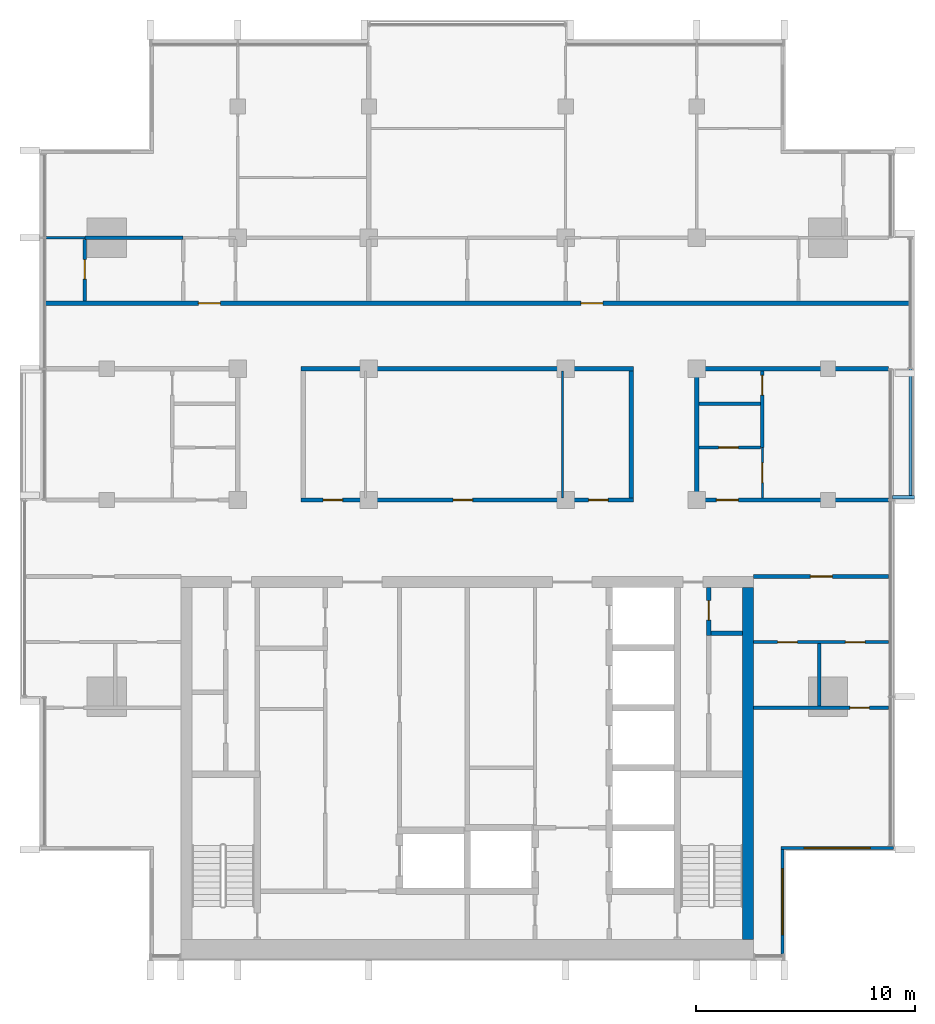
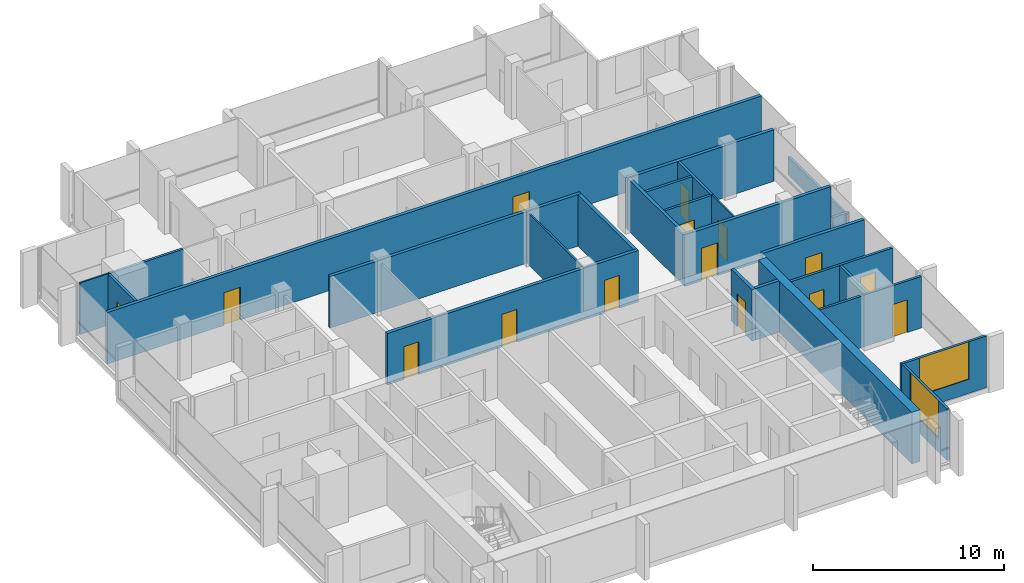
# One storey, part 9 of 16: 26 walls, 15 doors, 2 windows, 17 openings.
"""IFC4 building model written with IfcOpenShell, lengths in metres."""

from ifc_helpers import new_model, si_unit, direction, frame, frame_2d, origin, place, context, subcontext, project, spatial, rectangle, extrude, material, layer, layer_set, type_object, element, fill, save


model = new_model("IFC4")

# Units and contexts
model_context = context("Model", 3, precision=1e-05, world=origin(), true_north=direction((0.0, 1.0)))
body_context = subcontext(model_context, "Body", "Model", "MODEL_VIEW")
ifc_project = project(units=[si_unit("LENGTHUNIT", "METRE"), si_unit("AREAUNIT", "SQUARE_METRE"), si_unit("VOLUMEUNIT", "CUBIC_METRE"), si_unit("PLANEANGLEUNIT", "RADIAN"), si_unit("MASSUNIT", "GRAM", prefix="KILO")], contexts=[model_context])

# Site, building, storey
site_placement = place(None, origin())
site = spatial("IfcSite", under=ifc_project, at=site_placement, CompositionType="ELEMENT")
building_placement = place(site_placement, origin())
building = spatial("IfcBuilding", under=site, at=building_placement, Name="Finial Court Residences", CompositionType="ELEMENT")
storey_placement = place(building_placement, frame((0.0, 0.0, 287.89990234375)))
storey = spatial("IfcBuildingStorey", under=building, at=storey_placement, Name="L73", CompositionType="ELEMENT", Elevation=287.89990234375)

# Wall
ifc_material_1 = material(Name="Concrete C50/60", Category="concrete")
ifc_layer_1 = layer(ifc_material_1, 0.5)
ifc_layer_set_1 = layer_set([ifc_layer_1], Name="Core outer wall 500 Concrete C50/60")
wall_type_1 = type_object("IfcWallType", Name="Core outer wall 500 Concrete C50/60", PredefinedType="SHEAR", material=ifc_layer_set_1)
wall_1_placement = place(storey_placement, frame((12.85009765625, -24.60009765625, 0.0), z_axis=(0.0, 0.0, 1.0), x_axis=(0.0, 1.0, 0.0)))
element("IfcWall", 1, at=wall_1_placement, inside=storey, type_object=wall_type_1, Name="Core outer wall L73-04", PredefinedType="SHEAR", context=body_context, shape_type="SweptSolid", body=[
    extrude(rectangle(XDim=16.10009765625, YDim=0.5, at=frame_2d((8.050048828125, 0.0))), origin(), (0.0, 0.0, 1.0), 3.300048828125),
])

# Wall, opening, door
ifc_material_2 = material(Name="Gypsum board")
ifc_layer_2 = layer(ifc_material_2, 0.02490234375)
ifc_material_3 = material(Name="Acoustic mineral wool in double frame")
ifc_layer_3 = layer(ifc_material_3, 0.14990234375)
ifc_layer_4 = layer(ifc_material_2, 0.02490234375)
ifc_layer_set_2 = layer_set([ifc_layer_2, ifc_layer_3, ifc_layer_4], Name="Corridor wall 200, 1 hour")
wall_type_2 = type_object("IfcWallType", Name="Corridor wall 200, 1 hour", PredefinedType="PARTITIONING", material=ifc_layer_set_2)
wall_2_placement = place(storey_placement, frame((13.10009765625, -8.0, 0.0), z_axis=(0.0, 0.0, 1.0), x_axis=(1.0, 0.0, 0.0)))
wall_2 = element("IfcWall", 2, at=wall_2_placement, inside=storey, type_object=wall_type_2, Name="Partition L73-005", PredefinedType="PARTITIONING", context=body_context, shape_type="SweptSolid", body=[
    extrude(rectangle(XDim=6.162353515625, YDim=0.199951171875, at=frame_2d((3.0810546875, 0.0))), origin(), (0.0, 0.0, 1.0), 3.300048828125),
])
opening_1_placement = place(wall_2_placement, frame((2.60009765625, 0.0, 0.0)))
opening_1 = element("IfcOpeningElement", 3, at=opening_1_placement, cuts=wall_2, Name="Opening L73-D008", PredefinedType="OPENING", context=body_context, shape_type="SweptSolid", body=[
    extrude(rectangle(XDim=1.0, YDim=2.10009765625, at=frame_2d((0.5, 1.050048828125))), frame((0.0, 0.10986328125, 0.0), z_axis=(0.0, -1.0, 0.0), x_axis=(1.0, 0.0, 0.0)), (0.0, 0.0, 1.0), 0.219970703125),
])
ifc_material_4 = material(Name="Timber door leaf in hollow metal frame", Category="wood")
door_type_1 = type_object("IfcDoorType", Name="Fire door set 1000 x 2100, 30 minutes", OperationType="SINGLE_SWING_LEFT", PredefinedType="DOOR", material=ifc_material_4)
door_1_placement = place(opening_1_placement, origin())
door_1 = element("IfcDoor", 4, at=door_1_placement, inside=storey, type_object=door_type_1, Name="Door L73-D008", OperationType="SINGLE_SWING_LEFT", OverallHeight=2.10009765625, OverallWidth=1.0, PredefinedType="DOOR", context=body_context, shape_type="SweptSolid", body=[
    extrude(rectangle(XDim=1.0, YDim=2.10009765625, at=frame_2d((0.5, 1.050048828125))), frame((0.0, 0.02490234375, 0.0), z_axis=(0.0, -1.0, 0.0), x_axis=(1.0, 0.0, 0.0)), (0.0, 0.0, 1.0), 0.050048828125),
])
fill(opening_1, door_1)

# Wall, openings, doors
wall_3_placement = place(storey_placement, frame((-7.60009765625, -4.5, 0.0), z_axis=(0.0, 0.0, 1.0), x_axis=(1.0, 0.0, 0.0)))
wall_3 = element("IfcWall", 5, at=wall_3_placement, inside=storey, type_object=wall_type_2, Name="Partition L73-007", PredefinedType="PARTITIONING", context=body_context, shape_type="SweptSolid", body=[
    extrude(rectangle(XDim=15.2001953125, YDim=0.199951171875, at=frame_2d((7.60009765625, 0.0))), origin(), (0.0, 0.0, 1.0), 3.300048828125),
])
opening_2_placement = place(wall_3_placement, frame((1.0, 0.0, 0.0)))
opening_2 = element("IfcOpeningElement", 6, at=opening_2_placement, cuts=wall_3, Name="Opening L73-D010", PredefinedType="OPENING", context=body_context, shape_type="SweptSolid", body=[
    extrude(rectangle(XDim=0.89990234375, YDim=2.10009765625, at=frame_2d((0.449951171875, 1.050048828125))), frame((0.0, 0.10986328125, 0.0), z_axis=(0.0, -1.0, 0.0), x_axis=(1.0, 0.0, 0.0)), (0.0, 0.0, 1.0), 0.219970703125),
])
opening_3_placement = place(wall_3_placement, frame((6.949951171875, 0.0, 0.0)))
opening_3 = element("IfcOpeningElement", 7, at=opening_3_placement, cuts=wall_3, Name="Opening L73-D011", PredefinedType="OPENING", context=body_context, shape_type="SweptSolid", body=[
    extrude(rectangle(XDim=0.89990234375, YDim=2.10009765625, at=frame_2d((0.449951171875, 1.050048828125))), frame((0.0, 0.10986328125, 0.0), z_axis=(0.0, -1.0, 0.0), x_axis=(1.0, 0.0, 0.0)), (0.0, 0.0, 1.0), 0.219970703125),
])
opening_4_placement = place(wall_3_placement, frame((13.14990234375, 0.0, 0.0)))
opening_4 = element("IfcOpeningElement", 8, at=opening_4_placement, cuts=wall_3, Name="Opening L73-D012", PredefinedType="OPENING", context=body_context, shape_type="SweptSolid", body=[
    extrude(rectangle(XDim=0.89990234375, YDim=2.10009765625, at=frame_2d((0.449951171875, 1.050048828125))), frame((0.0, 0.10986328125, 0.0), z_axis=(0.0, -1.0, 0.0), x_axis=(1.0, 0.0, 0.0)), (0.0, 0.0, 1.0), 0.219970703125),
])
door_type_2 = type_object("IfcDoorType", Name="Fire door set 900 x 2100, 30 minutes", OperationType="SINGLE_SWING_LEFT", PredefinedType="DOOR", material=ifc_material_4)
door_2_placement = place(opening_2_placement, origin())
door_2 = element("IfcDoor", 9, at=door_2_placement, inside=storey, type_object=door_type_2, Name="Door L73-D010", OperationType="SINGLE_SWING_RIGHT", OverallHeight=2.10009765625, OverallWidth=0.89990234375, PredefinedType="DOOR", context=body_context, shape_type="SweptSolid", body=[
    extrude(rectangle(XDim=0.89990234375, YDim=2.10009765625, at=frame_2d((0.449951171875, 1.050048828125))), frame((0.0, 0.02490234375, 0.0), z_axis=(0.0, -1.0, 0.0), x_axis=(1.0, 0.0, 0.0)), (0.0, 0.0, 1.0), 0.050048828125),
])
fill(opening_2, door_2)
door_3_placement = place(opening_3_placement, origin())
door_3 = element("IfcDoor", 10, at=door_3_placement, inside=storey, type_object=door_type_2, Name="Door L73-D011", OperationType="SINGLE_SWING_RIGHT", OverallHeight=2.10009765625, OverallWidth=0.89990234375, PredefinedType="DOOR", context=body_context, shape_type="SweptSolid", body=[
    extrude(rectangle(XDim=0.89990234375, YDim=2.10009765625, at=frame_2d((0.449951171875, 1.050048828125))), frame((0.0, 0.02490234375, 0.0), z_axis=(0.0, -1.0, 0.0), x_axis=(1.0, 0.0, 0.0)), (0.0, 0.0, 1.0), 0.050048828125),
])
fill(opening_3, door_3)
door_4_placement = place(opening_4_placement, origin())
door_4 = element("IfcDoor", 11, at=door_4_placement, inside=storey, type_object=door_type_2, Name="Door L73-D012", OperationType="SINGLE_SWING_LEFT", OverallHeight=2.10009765625, OverallWidth=0.89990234375, PredefinedType="DOOR", context=body_context, shape_type="SweptSolid", body=[
    extrude(rectangle(XDim=0.89990234375, YDim=2.10009765625, at=frame_2d((0.449951171875, 1.050048828125))), frame((0.0, 0.02490234375, 0.0), z_axis=(0.0, -1.0, 0.0), x_axis=(1.0, 0.0, 0.0)), (0.0, 0.0, 1.0), 0.050048828125),
])
fill(opening_4, door_4)

# Wall, opening, door
wall_4_placement = place(storey_placement, frame((10.39990234375, -4.5, 0.0), z_axis=(0.0, 0.0, 1.0), x_axis=(1.0, 0.0, 0.0)))
wall_4 = element("IfcWall", 12, at=wall_4_placement, inside=storey, type_object=wall_type_2, Name="Partition L73-008", PredefinedType="PARTITIONING", context=body_context, shape_type="SweptSolid", body=[
    extrude(rectangle(XDim=8.862548828125, YDim=0.199951171875, at=frame_2d((4.43115234375, 0.0))), origin(), (0.0, 0.0, 1.0), 3.300048828125),
])
opening_5_placement = place(wall_4_placement, frame((1.0, 0.0, 0.0)))
opening_5 = element("IfcOpeningElement", 13, at=opening_5_placement, cuts=wall_4, Name="Opening L73-D013", PredefinedType="OPENING", context=body_context, shape_type="SweptSolid", body=[
    extrude(rectangle(XDim=1.0, YDim=2.10009765625, at=frame_2d((0.5, 1.050048828125))), frame((0.0, 0.10986328125, 0.0), z_axis=(0.0, -1.0, 0.0), x_axis=(1.0, 0.0, 0.0)), (0.0, 0.0, 1.0), 0.219970703125),
])
door_5_placement = place(opening_5_placement, origin())
door_5 = element("IfcDoor", 14, at=door_5_placement, inside=storey, type_object=door_type_1, Name="Door L73-D013", OperationType="SINGLE_SWING_RIGHT", OverallHeight=2.10009765625, OverallWidth=1.0, PredefinedType="DOOR", context=body_context, shape_type="SweptSolid", body=[
    extrude(rectangle(XDim=1.0, YDim=2.10009765625, at=frame_2d((0.5, 1.050048828125))), frame((0.0, 0.02490234375, 0.0), z_axis=(0.0, -1.0, 0.0), x_axis=(1.0, 0.0, 0.0)), (0.0, 0.0, 1.0), 0.050048828125),
])
fill(opening_5, door_5)

# Walls
wall_5_placement = place(storey_placement, frame((-7.60009765625, 1.5, 0.0), z_axis=(0.0, 0.0, 1.0), x_axis=(1.0, 0.0, 0.0)))
element("IfcWall", 15, at=wall_5_placement, inside=storey, type_object=wall_type_2, Name="Partition L73-014", PredefinedType="PARTITIONING", context=body_context, shape_type="SweptSolid", body=[
    extrude(rectangle(XDim=15.2001953125, YDim=0.199951171875, at=frame_2d((7.60009765625, 0.0))), origin(), (0.0, 0.0, 1.0), 3.300048828125),
])
wall_6_placement = place(storey_placement, frame((10.39990234375, 1.5, 0.0), z_axis=(0.0, 0.0, 1.0), x_axis=(1.0, 0.0, 0.0)))
element("IfcWall", 16, at=wall_6_placement, inside=storey, type_object=wall_type_2, Name="Partition L73-015", PredefinedType="PARTITIONING", context=body_context, shape_type="SweptSolid", body=[
    extrude(rectangle(XDim=8.862548828125, YDim=0.199951171875, at=frame_2d((4.43115234375, 0.0))), origin(), (0.0, 0.0, 1.0), 3.300048828125),
])

# Wall, openings, doors
wall_7_placement = place(storey_placement, frame((-19.35009765625, 4.5, 0.0), z_axis=(0.0, 0.0, 1.0), x_axis=(1.0, 0.0, 0.0)))
wall_7 = element("IfcWall", 17, at=wall_7_placement, inside=storey, type_object=wall_type_2, Name="Partition L73-016", PredefinedType="PARTITIONING", context=body_context, shape_type="SweptSolid", body=[
    extrude(rectangle(XDim=39.60009765625, YDim=0.199951171875, at=frame_2d((19.800048828125, 0.0))), origin(), (0.0, 0.0, 1.0), 3.300048828125),
])
opening_6_placement = place(wall_7_placement, frame((7.050048828125, 0.0, 0.0)))
opening_6 = element("IfcOpeningElement", 18, at=opening_6_placement, cuts=wall_7, Name="Opening L73-D016", PredefinedType="OPENING", context=body_context, shape_type="SweptSolid", body=[
    extrude(rectangle(XDim=1.0, YDim=2.10009765625, at=frame_2d((0.5, 1.050048828125))), frame((0.0, 0.10986328125, 0.0), z_axis=(0.0, -1.0, 0.0), x_axis=(1.0, 0.0, 0.0)), (0.0, 0.0, 1.0), 0.219970703125),
])
opening_7_placement = place(wall_7_placement, frame((24.550048828125, 0.0, 0.0)))
opening_7 = element("IfcOpeningElement", 19, at=opening_7_placement, cuts=wall_7, Name="Opening L73-D017", PredefinedType="OPENING", context=body_context, shape_type="SweptSolid", body=[
    extrude(rectangle(XDim=1.0, YDim=2.10009765625, at=frame_2d((0.5, 1.050048828125))), frame((0.0, 0.10986328125, 0.0), z_axis=(0.0, -1.0, 0.0), x_axis=(1.0, 0.0, 0.0)), (0.0, 0.0, 1.0), 0.219970703125),
])
door_6_placement = place(opening_6_placement, origin())
door_6 = element("IfcDoor", 20, at=door_6_placement, inside=storey, type_object=door_type_1, Name="Door L73-D016", OperationType="SINGLE_SWING_RIGHT", OverallHeight=2.10009765625, OverallWidth=1.0, PredefinedType="DOOR", context=body_context, shape_type="SweptSolid", body=[
    extrude(rectangle(XDim=1.0, YDim=2.10009765625, at=frame_2d((0.5, 1.050048828125))), frame((0.0, 0.02490234375, 0.0), z_axis=(0.0, -1.0, 0.0), x_axis=(1.0, 0.0, 0.0)), (0.0, 0.0, 1.0), 0.050048828125),
])
fill(opening_6, door_6)
door_7_placement = place(opening_7_placement, origin())
door_7 = element("IfcDoor", 21, at=door_7_placement, inside=storey, type_object=door_type_1, Name="Door L73-D017", OperationType="SINGLE_SWING_LEFT", OverallHeight=2.10009765625, OverallWidth=1.0, PredefinedType="DOOR", context=body_context, shape_type="SweptSolid", body=[
    extrude(rectangle(XDim=1.0, YDim=2.10009765625, at=frame_2d((0.5, 1.050048828125))), frame((0.0, 0.02490234375, 0.0), z_axis=(0.0, -1.0, 0.0), x_axis=(1.0, 0.0, 0.0)), (0.0, 0.0, 1.0), 0.050048828125),
])
fill(opening_7, door_7)

# Walls
for number, where, z_axis, x_axis, name in (
    (22, (7.5, -4.39990234375, 0.0), (0.0, 0.0, 1.0), (0.0, 1.0, 0.0), "Partition L73-047"),
    (23, (10.5, -4.39990234375, 0.0), (0.0, 0.0, 1.0), (0.0, 1.0, 0.0), "Partition L73-048"),
):
    element("IfcWall", number, at=place(storey_placement, frame(where, z_axis=z_axis, x_axis=x_axis)), inside=storey, type_object=wall_type_2, Name=name, PredefinedType="PARTITIONING", context=body_context, shape_type="SweptSolid", body=[
        extrude(rectangle(XDim=5.7998046875, YDim=0.199951171875, at=frame_2d((2.89990234375, 0.0))), origin(), (0.0, 0.0, 1.0), 3.300048828125),
    ])
ifc_layer_5 = layer(ifc_material_2, 0.012451171875)
ifc_material_5 = material(Name="Mineral wool in light-gauge frame")
ifc_layer_6 = layer(ifc_material_5, 0.074951171875)
ifc_layer_7 = layer(ifc_material_2, 0.012451171875)
ifc_layer_set_3 = layer_set([ifc_layer_5, ifc_layer_6, ifc_layer_7], Name="Gypsum board partition 100")
wall_type_3 = type_object("IfcWallType", Name="Gypsum board partition 100", PredefinedType="PARTITIONING", material=ifc_layer_set_3)
wall_8_placement = place(storey_placement, frame((-19.262451171875, 7.5, 0.0), z_axis=(0.0, 0.0, 1.0), x_axis=(1.0, 0.0, 0.0)))
element("IfcWall", 24, at=wall_8_placement, inside=storey, type_object=wall_type_3, Name="Partition L73-017", PredefinedType="PARTITIONING", context=body_context, shape_type="SweptSolid", body=[
    extrude(rectangle(XDim=1.762451171875, YDim=0.10009765625, at=frame_2d((0.88134765625, 0.0))), origin(), (0.0, 0.0, 1.0), 3.300048828125),
])
wall_9_placement = place(storey_placement, frame((4.35009765625, -4.39990234375, 0.0), z_axis=(0.0, 0.0, 1.0), x_axis=(0.0, 1.0, 0.0)))
element("IfcWall", 25, at=wall_9_placement, inside=storey, type_object=wall_type_3, Name="Partition L73-043", PredefinedType="PARTITIONING", context=body_context, shape_type="SweptSolid", body=[
    extrude(rectangle(XDim=5.7998046875, YDim=0.10009765625, at=frame_2d((2.89990234375, 0.0))), origin(), (0.0, 0.0, 1.0), 3.300048828125),
])

# Wall, opening, door
wall_10_placement = place(storey_placement, frame((13.5, -4.39990234375, 0.0), z_axis=(0.0, 0.0, 1.0), x_axis=(0.0, 1.0, 0.0)))
wall_10 = element("IfcWall", 26, at=wall_10_placement, inside=storey, type_object=wall_type_3, Name="Partition L73-050", PredefinedType="PARTITIONING", context=body_context, shape_type="SweptSolid", body=[
    extrude(rectangle(XDim=2.2998046875, YDim=0.10009765625, at=frame_2d((1.14990234375, 0.0))), origin(), (0.0, 0.0, 1.0), 3.300048828125),
])
opening_8_placement = place(wall_10_placement, frame((0.699951171875, 0.0, 0.0)))
opening_8 = element("IfcOpeningElement", 27, at=opening_8_placement, cuts=wall_10, Name="Opening L73-D034", PredefinedType="OPENING", context=body_context, shape_type="SweptSolid", body=[
    extrude(rectangle(XDim=0.89990234375, YDim=2.10009765625, at=frame_2d((0.449951171875, 1.050048828125))), frame((0.0, 0.06005859375, 0.0), z_axis=(0.0, -1.0, 0.0), x_axis=(1.0, 0.0, 0.0)), (0.0, 0.0, 1.0), 0.1201171875),
])
ifc_material_6 = material(Name="Timber door leaf in timber frame", Category="wood")
door_type_3 = type_object("IfcDoorType", Name="Door set 900 x 2100", OperationType="SINGLE_SWING_LEFT", PredefinedType="DOOR", material=ifc_material_6)
door_8_placement = place(opening_8_placement, origin())
door_8 = element("IfcDoor", 28, at=door_8_placement, inside=storey, type_object=door_type_3, Name="Door L73-D034", OperationType="SINGLE_SWING_RIGHT", OverallHeight=2.10009765625, OverallWidth=0.89990234375, PredefinedType="DOOR", context=body_context, shape_type="SweptSolid", body=[
    extrude(rectangle(XDim=0.89990234375, YDim=2.10009765625, at=frame_2d((0.449951171875, 1.050048828125))), frame((0.0, 0.02490234375, 0.0), z_axis=(0.0, -1.0, 0.0), x_axis=(1.0, 0.0, 0.0)), (0.0, 0.0, 1.0), 0.050048828125),
])
fill(opening_8, door_8)

ifc_material_7 = material(Name="Moisture-resistant gypsum board")
ifc_layer_8 = layer(ifc_material_7, 0.012451171875)
ifc_layer_9 = layer(ifc_material_5, 0.125)
ifc_layer_10 = layer(ifc_material_7, 0.012451171875)
ifc_layer_set_4 = layer_set([ifc_layer_8, ifc_layer_9, ifc_layer_10], Name="Gypsum board wet-area partition 150")
wall_type_4 = type_object("IfcWallType", Name="Gypsum board wet-area partition 150", PredefinedType="PARTITIONING", material=ifc_layer_set_4)
wall_11_placement = place(storey_placement, frame((13.10009765625, -14.0, 0.0), z_axis=(0.0, 0.0, 1.0), x_axis=(1.0, 0.0, 0.0)))
wall_11 = element("IfcWall", 29, at=wall_11_placement, inside=storey, type_object=wall_type_4, Name="Partition L73-001", PredefinedType="PARTITIONING", context=body_context, shape_type="SweptSolid", body=[
    extrude(rectangle(XDim=6.162353515625, YDim=0.14990234375, at=frame_2d((3.0810546875, 0.0))), origin(), (0.0, 0.0, 1.0), 3.300048828125),
])
opening_9_placement = place(wall_11_placement, frame((4.39990234375, 0.0, 0.0)))
opening_9 = element("IfcOpeningElement", 30, at=opening_9_placement, cuts=wall_11, Name="Opening L73-D002", PredefinedType="OPENING", context=body_context, shape_type="SweptSolid", body=[
    extrude(rectangle(XDim=0.89990234375, YDim=2.10009765625, at=frame_2d((0.449951171875, 1.050048828125))), frame((0.0, 0.0849609375, 0.0), z_axis=(0.0, -1.0, 0.0), x_axis=(1.0, 0.0, 0.0)), (0.0, 0.0, 1.0), 0.169921875),
])
door_9_placement = place(opening_9_placement, origin())
door_9 = element("IfcDoor", 31, at=door_9_placement, inside=storey, type_object=door_type_3, Name="Door L73-D002", OperationType="SINGLE_SWING_RIGHT", OverallHeight=2.10009765625, OverallWidth=0.89990234375, PredefinedType="DOOR", context=body_context, shape_type="SweptSolid", body=[
    extrude(rectangle(XDim=0.89990234375, YDim=2.10009765625, at=frame_2d((0.449951171875, 1.050048828125))), frame((0.0, 0.02490234375, 0.0), z_axis=(0.0, -1.0, 0.0), x_axis=(1.0, 0.0, 0.0)), (0.0, 0.0, 1.0), 0.050048828125),
])
fill(opening_9, door_9)

# Wall, openings, doors
wall_12_placement = place(storey_placement, frame((13.10009765625, -11.0, 0.0), z_axis=(0.0, 0.0, 1.0), x_axis=(1.0, 0.0, 0.0)))
wall_12 = element("IfcWall", 32, at=wall_12_placement, inside=storey, type_object=wall_type_4, Name="Partition L73-003", PredefinedType="PARTITIONING", context=body_context, shape_type="SweptSolid", body=[
    extrude(rectangle(XDim=6.162353515625, YDim=0.14990234375, at=frame_2d((3.0810546875, 0.0))), origin(), (0.0, 0.0, 1.0), 3.300048828125),
])
opening_10_placement = place(wall_12_placement, frame((1.10009765625, 0.0, 0.0)))
opening_10 = element("IfcOpeningElement", 33, at=opening_10_placement, cuts=wall_12, Name="Opening L73-D005", PredefinedType="OPENING", context=body_context, shape_type="SweptSolid", body=[
    extrude(rectangle(XDim=0.89990234375, YDim=2.10009765625, at=frame_2d((0.449951171875, 1.050048828125))), frame((0.0, 0.0849609375, 0.0), z_axis=(0.0, -1.0, 0.0), x_axis=(1.0, 0.0, 0.0)), (0.0, 0.0, 1.0), 0.169921875),
])
opening_11_placement = place(wall_12_placement, frame((4.199951171875, 0.0, 0.0)))
opening_11 = element("IfcOpeningElement", 34, at=opening_11_placement, cuts=wall_12, Name="Opening L73-D006", PredefinedType="OPENING", context=body_context, shape_type="SweptSolid", body=[
    extrude(rectangle(XDim=0.89990234375, YDim=2.10009765625, at=frame_2d((0.449951171875, 1.050048828125))), frame((0.0, 0.0849609375, 0.0), z_axis=(0.0, -1.0, 0.0), x_axis=(1.0, 0.0, 0.0)), (0.0, 0.0, 1.0), 0.169921875),
])
door_10_placement = place(opening_10_placement, origin())
door_10 = element("IfcDoor", 35, at=door_10_placement, inside=storey, type_object=door_type_3, Name="Door L73-D005", OperationType="SINGLE_SWING_LEFT", OverallHeight=2.10009765625, OverallWidth=0.89990234375, PredefinedType="DOOR", context=body_context, shape_type="SweptSolid", body=[
    extrude(rectangle(XDim=0.89990234375, YDim=2.10009765625, at=frame_2d((0.449951171875, 1.050048828125))), frame((0.0, 0.02490234375, 0.0), z_axis=(0.0, -1.0, 0.0), x_axis=(1.0, 0.0, 0.0)), (0.0, 0.0, 1.0), 0.050048828125),
])
fill(opening_10, door_10)
door_11_placement = place(opening_11_placement, origin())
door_11 = element("IfcDoor", 36, at=door_11_placement, inside=storey, type_object=door_type_3, Name="Door L73-D006", OperationType="SINGLE_SWING_RIGHT", OverallHeight=2.10009765625, OverallWidth=0.89990234375, PredefinedType="DOOR", context=body_context, shape_type="SweptSolid", body=[
    extrude(rectangle(XDim=0.89990234375, YDim=2.10009765625, at=frame_2d((0.449951171875, 1.050048828125))), frame((0.0, 0.02490234375, 0.0), z_axis=(0.0, -1.0, 0.0), x_axis=(1.0, 0.0, 0.0)), (0.0, 0.0, 1.0), 0.050048828125),
])
fill(opening_11, door_11)

# Wall, opening, door
wall_13_placement = place(storey_placement, frame((10.60009765625, -2.10009765625, 0.0), z_axis=(0.0, 0.0, 1.0), x_axis=(1.0, 0.0, 0.0)))
wall_13 = element("IfcWall", 37, at=wall_13_placement, inside=storey, type_object=wall_type_4, Name="Partition L73-010", PredefinedType="PARTITIONING", context=body_context, shape_type="SweptSolid", body=[
    extrude(rectangle(XDim=2.824951171875, YDim=0.14990234375, at=frame_2d((1.41259765625, 0.0))), origin(), (0.0, 0.0, 1.0), 3.300048828125),
])
opening_12_placement = place(wall_13_placement, frame((0.89990234375, 0.0, 0.0)))
opening_12 = element("IfcOpeningElement", 38, at=opening_12_placement, cuts=wall_13, Name="Opening L73-D015", PredefinedType="OPENING", context=body_context, shape_type="SweptSolid", body=[
    extrude(rectangle(XDim=0.89990234375, YDim=2.10009765625, at=frame_2d((0.449951171875, 1.050048828125))), frame((0.0, 0.0849609375, 0.0), z_axis=(0.0, -1.0, 0.0), x_axis=(1.0, 0.0, 0.0)), (0.0, 0.0, 1.0), 0.169921875),
])
door_12_placement = place(opening_12_placement, origin())
door_12 = element("IfcDoor", 39, at=door_12_placement, inside=storey, type_object=door_type_3, Name="Door L73-D015", OperationType="SINGLE_SWING_RIGHT", OverallHeight=2.10009765625, OverallWidth=0.89990234375, PredefinedType="DOOR", context=body_context, shape_type="SweptSolid", body=[
    extrude(rectangle(XDim=0.89990234375, YDim=2.10009765625, at=frame_2d((0.449951171875, 1.050048828125))), frame((0.0, 0.02490234375, 0.0), z_axis=(0.0, -1.0, 0.0), x_axis=(1.0, 0.0, 0.0)), (0.0, 0.0, 1.0), 0.050048828125),
])
fill(opening_12, door_12)

# Walls
wall_14_placement = place(storey_placement, frame((10.60009765625, -0.10009765625, 0.0), z_axis=(0.0, 0.0, 1.0), x_axis=(1.0, 0.0, 0.0)))
element("IfcWall", 40, at=wall_14_placement, inside=storey, type_object=wall_type_4, Name="Partition L73-012", PredefinedType="PARTITIONING", context=body_context, shape_type="SweptSolid", body=[
    extrude(rectangle(XDim=2.824951171875, YDim=0.14990234375, at=frame_2d((1.41259765625, 0.0))), origin(), (0.0, 0.0, 1.0), 3.300048828125),
])
wall_15_placement = place(storey_placement, frame((-17.5, 7.5, 0.0), z_axis=(0.0, 0.0, 1.0), x_axis=(1.0, 0.0, 0.0)))
element("IfcWall", 41, at=wall_15_placement, inside=storey, type_object=wall_type_4, Name="Partition L73-022", PredefinedType="PARTITIONING", context=body_context, shape_type="SweptSolid", body=[
    extrude(rectangle(XDim=4.5, YDim=0.14990234375, at=frame_2d((2.25, 0.0))), origin(), (0.0, 0.0, 1.0), 3.300048828125),
])

# Wall, opening, door
wall_16_placement = place(storey_placement, frame((-17.5, 4.60009765625, 0.0), z_axis=(0.0, 0.0, 1.0), x_axis=(0.0, 1.0, 0.0)))
wall_16 = element("IfcWall", 42, at=wall_16_placement, inside=storey, type_object=wall_type_4, Name="Partition L73-030", PredefinedType="PARTITIONING", context=body_context, shape_type="SweptSolid", body=[
    extrude(rectangle(XDim=2.824951171875, YDim=0.14990234375, at=frame_2d((1.41259765625, 0.0))), origin(), (0.0, 0.0, 1.0), 3.300048828125),
])
opening_13_placement = place(wall_16_placement, frame((1.0, 0.0, 0.0)))
opening_13 = element("IfcOpeningElement", 43, at=opening_13_placement, cuts=wall_16, Name="Opening L73-D023", PredefinedType="OPENING", context=body_context, shape_type="SweptSolid", body=[
    extrude(rectangle(XDim=0.89990234375, YDim=2.10009765625, at=frame_2d((0.449951171875, 1.050048828125))), frame((0.0, 0.0849609375, 0.0), z_axis=(0.0, -1.0, 0.0), x_axis=(1.0, 0.0, 0.0)), (0.0, 0.0, 1.0), 0.169921875),
])
door_13_placement = place(opening_13_placement, origin())
door_13 = element("IfcDoor", 44, at=door_13_placement, inside=storey, type_object=door_type_3, Name="Door L73-D023", OperationType="SINGLE_SWING_LEFT", OverallHeight=2.10009765625, OverallWidth=0.89990234375, PredefinedType="DOOR", context=body_context, shape_type="SweptSolid", body=[
    extrude(rectangle(XDim=0.89990234375, YDim=2.10009765625, at=frame_2d((0.449951171875, 1.050048828125))), frame((0.0, 0.02490234375, 0.0), z_axis=(0.0, -1.0, 0.0), x_axis=(1.0, 0.0, 0.0)), (0.0, 0.0, 1.0), 0.050048828125),
])
fill(opening_13, door_13)

wall_17_placement = place(storey_placement, frame((13.5, -2.10009765625, 0.0), z_axis=(0.0, 0.0, 1.0), x_axis=(0.0, 1.0, 0.0)))
wall_17 = element("IfcWall", 45, at=wall_17_placement, inside=storey, type_object=wall_type_4, Name="Partition L73-051", PredefinedType="PARTITIONING", context=body_context, shape_type="SweptSolid", body=[
    extrude(rectangle(XDim=3.5, YDim=0.14990234375, at=frame_2d((1.75, 0.0))), origin(), (0.0, 0.0, 1.0), 3.300048828125),
])
opening_14_placement = place(wall_17_placement, frame((2.39990234375, 0.0, 0.0)))
opening_14 = element("IfcOpeningElement", 46, at=opening_14_placement, cuts=wall_17, Name="Opening L73-D035", PredefinedType="OPENING", context=body_context, shape_type="SweptSolid", body=[
    extrude(rectangle(XDim=0.89990234375, YDim=2.10009765625, at=frame_2d((0.449951171875, 1.050048828125))), frame((0.0, 0.0849609375, 0.0), z_axis=(0.0, -1.0, 0.0), x_axis=(1.0, 0.0, 0.0)), (0.0, 0.0, 1.0), 0.169921875),
])
door_14_placement = place(opening_14_placement, origin())
door_14 = element("IfcDoor", 47, at=door_14_placement, inside=storey, type_object=door_type_3, Name="Door L73-D035", OperationType="SINGLE_SWING_LEFT", OverallHeight=2.10009765625, OverallWidth=0.89990234375, PredefinedType="DOOR", context=body_context, shape_type="SweptSolid", body=[
    extrude(rectangle(XDim=0.89990234375, YDim=2.10009765625, at=frame_2d((0.449951171875, 1.050048828125))), frame((0.0, 0.02490234375, 0.0), z_axis=(0.0, -1.0, 0.0), x_axis=(1.0, 0.0, 0.0)), (0.0, 0.0, 1.0), 0.050048828125),
])
fill(opening_14, door_14)

# Walls
wall_18_placement = place(storey_placement, frame((16.10009765625, -13.925048828125, 0.0), z_axis=(0.0, 0.0, 1.0), x_axis=(0.0, 1.0, 0.0)))
element("IfcWall", 48, at=wall_18_placement, inside=storey, type_object=wall_type_4, Name="Partition L73-053", PredefinedType="PARTITIONING", context=body_context, shape_type="SweptSolid", body=[
    extrude(rectangle(XDim=2.85009765625, YDim=0.14990234375, at=frame_2d((1.425048828125, 0.0))), origin(), (0.0, 0.0, 1.0), 3.300048828125),
])
ifc_material_8 = material(Name="Concrete C35/45", Category="concrete")
ifc_layer_11 = layer(ifc_material_8, 0.14990234375)
ifc_layer_set_5 = layer_set([ifc_layer_11], Name="Ledge parapet, Concrete C35/45 150")
wall_type_5 = type_object("IfcWallType", Name="Ledge parapet, Concrete C35/45 150", PredefinedType="PARAPET", material=ifc_layer_set_5)
wall_19_placement = place(storey_placement, frame((20.46240234375, -4.375, 0.0), z_axis=(0.0, 0.0, 1.0), x_axis=(-1.0, 0.0, 0.0)))
element("IfcWall", 49, at=wall_19_placement, inside=storey, type_object=wall_type_5, Name="E-L73-LED2-P1", PredefinedType="PARAPET", context=body_context, shape_type="SweptSolid", body=[
    extrude(rectangle(XDim=1.014892578125, YDim=0.14990234375, at=frame_2d((0.50732421875, 0.0))), origin(), (0.0, 0.0, 1.0), 1.150146484375),
])
wall_20_placement = place(storey_placement, frame((20.27490234375, 1.552490234375, 0.0), z_axis=(0.0, 0.0, 1.0), x_axis=(0.0, -1.0, 0.0)))
element("IfcWall", 50, at=wall_20_placement, inside=storey, type_object=wall_type_5, Name="E-L73-LED2-P2", PredefinedType="PARAPET", context=body_context, shape_type="SweptSolid", body=[
    extrude(rectangle(XDim=6.114990234375, YDim=0.14990234375, at=frame_2d((3.0576171875, 0.0))), origin(), (0.0, 0.0, 1.0), 1.150146484375),
])

# Wall, opening, window
ifc_material_9 = material(Name="Natural limestone", Category="masonry")
ifc_layer_12 = layer(ifc_material_9, 0.14990234375)
ifc_layer_set_6 = layer_set([ifc_layer_12], Name="Limestone clad wall 150")
wall_type_6 = type_object("IfcWallType", Name="Limestone clad wall 150", PredefinedType="SOLIDWALL", material=ifc_layer_set_6)
wall_21_placement = place(storey_placement, frame((14.425048828125, -20.5, 0.0), z_axis=(0.0, 0.0, 1.0), x_axis=(0.0, -1.0, 0.0)))
wall_21 = element("IfcWall", 51, at=wall_21_placement, inside=storey, type_object=wall_type_6, Name="E-L73-NWE14", PredefinedType="SOLIDWALL", context=body_context, shape_type="SweptSolid", body=[
    extrude(rectangle(XDim=4.762451171875, YDim=0.14990234375, at=frame_2d((2.38134765625, 0.0))), origin(), (0.0, 0.0, 1.0), 3.300048828125),
])
opening_15_placement = place(wall_21_placement, frame((0.88134765625, 0.0, 0.89990234375)))
opening_15 = element("IfcOpeningElement", 52, at=opening_15_placement, cuts=wall_21, Name="Opening WE73-03", PredefinedType="OPENING", context=body_context, shape_type="SweptSolid", body=[
    extrude(rectangle(XDim=3.0, YDim=2.39990234375, at=frame_2d((1.5, 1.199951171875))), frame((0.0, 0.0849609375, 0.0), z_axis=(0.0, -1.0, 0.0), x_axis=(1.0, 0.0, 0.0)), (0.0, 0.0, 1.0), 0.169921875),
])
ifc_material_10 = material(Name="Clear low-e glass", Category="glass")
window_type = type_object("IfcWindowType", Name="Corner window 3000 x 2400", PartitioningType="SINGLE_PANEL", PredefinedType="WINDOW", material=ifc_material_10)
window_1_placement = place(opening_15_placement, origin())
window_1 = element("IfcWindow", 53, at=window_1_placement, inside=storey, type_object=window_type, Name="E-L73-NWE14-W1", OverallHeight=2.39990234375, OverallWidth=3.0, PartitioningType="SINGLE_PANEL", PredefinedType="WINDOW", context=body_context, shape_type="SweptSolid", body=[
    extrude(rectangle(XDim=3.0, YDim=2.39990234375, at=frame_2d((1.5, 1.199951171875))), frame((0.0, 0.030029296875, 0.0), z_axis=(0.0, -1.0, 0.0), x_axis=(1.0, 0.0, 0.0)), (0.0, 0.0, 1.0), 0.06005859375),
])
fill(opening_15, window_1)

wall_22_placement = place(storey_placement, frame((19.5, -20.425048828125, 0.0), z_axis=(0.0, 0.0, 1.0), x_axis=(-1.0, 0.0, 0.0)))
wall_22 = element("IfcWall", 54, at=wall_22_placement, inside=storey, type_object=wall_type_6, Name="E-L73-NWS15", PredefinedType="SOLIDWALL", context=body_context, shape_type="SweptSolid", body=[
    extrude(rectangle(XDim=5.14990234375, YDim=0.14990234375, at=frame_2d((2.574951171875, 0.0))), origin(), (0.0, 0.0, 1.0), 3.300048828125),
])
opening_16_placement = place(wall_22_placement, frame((1.074951171875, 0.0, 0.89990234375)))
opening_16 = element("IfcOpeningElement", 55, at=opening_16_placement, cuts=wall_22, Name="Opening WE73-04", PredefinedType="OPENING", context=body_context, shape_type="SweptSolid", body=[
    extrude(rectangle(XDim=3.0, YDim=2.39990234375, at=frame_2d((1.5, 1.199951171875))), frame((0.0, 0.0849609375, 0.0), z_axis=(0.0, -1.0, 0.0), x_axis=(1.0, 0.0, 0.0)), (0.0, 0.0, 1.0), 0.169921875),
])
window_2_placement = place(opening_16_placement, origin())
window_2 = element("IfcWindow", 56, at=window_2_placement, inside=storey, type_object=window_type, Name="E-L73-NWS15-W1", OverallHeight=2.39990234375, OverallWidth=3.0, PartitioningType="SINGLE_PANEL", PredefinedType="WINDOW", context=body_context, shape_type="SweptSolid", body=[
    extrude(rectangle(XDim=3.0, YDim=2.39990234375, at=frame_2d((1.5, 1.199951171875))), frame((0.0, 0.030029296875, 0.0), z_axis=(0.0, -1.0, 0.0), x_axis=(1.0, 0.0, 0.0)), (0.0, 0.0, 1.0), 0.06005859375),
])
fill(opening_16, window_2)

# Wall
ifc_material_11 = material(Name="Fire-rated gypsum board partition")
ifc_layer_13 = layer(ifc_material_11, 0.199951171875)
ifc_layer_set_7 = layer_set([ifc_layer_13], Name="Riser room wall 200 EI 120")
wall_type_7 = type_object("IfcWallType", Name="Riser room wall 200 EI 120", PredefinedType="PARTITIONING", material=ifc_layer_set_7)
wall_23_placement = place(storey_placement, frame((11.14990234375, -10.60009765625, 0.0), z_axis=(0.0, 0.0, 1.0), x_axis=(1.0, 0.0, 0.0)))
element("IfcWall", 57, at=wall_23_placement, inside=storey, type_object=wall_type_7, Name="Core partition L73-17", PredefinedType="PARTITIONING", context=body_context, shape_type="SweptSolid", body=[
    extrude(rectangle(XDim=1.4501953125, YDim=0.199951171875, at=frame_2d((0.72509765625, 0.0))), origin(), (0.0, 0.0, 1.0), 3.300048828125),
])

# Wall, opening, door
wall_24_placement = place(storey_placement, frame((11.050048828125, -8.5, 0.0), z_axis=(0.0, 0.0, 1.0), x_axis=(0.0, -1.0, 0.0)))
wall_24 = element("IfcWall", 58, at=wall_24_placement, inside=storey, type_object=wall_type_7, Name="Core partition L73-38", PredefinedType="PARTITIONING", context=body_context, shape_type="SweptSolid", body=[
    extrude(rectangle(XDim=2.199951171875, YDim=0.199951171875, at=frame_2d((1.10009765625, 0.0))), origin(), (0.0, 0.0, 1.0), 3.300048828125),
])
opening_17_placement = place(wall_24_placement, frame((0.60009765625, 0.0, 0.0)))
opening_17 = element("IfcOpeningElement", 59, at=opening_17_placement, cuts=wall_24, Name="Opening L73-C08", PredefinedType="OPENING", context=body_context, shape_type="SweptSolid", body=[
    extrude(rectangle(XDim=0.89990234375, YDim=2.10009765625, at=frame_2d((0.449951171875, 1.050048828125))), frame((0.0, 0.10986328125, 0.0), z_axis=(0.0, -1.0, 0.0), x_axis=(1.0, 0.0, 0.0)), (0.0, 0.0, 1.0), 0.219970703125),
])
ifc_material_12 = material(Name="Steel fire door", Category="steel")
door_type_4 = type_object("IfcDoorType", Name="Riser room door 900 x 2100 EI 90", OperationType="NOTDEFINED", PredefinedType="DOOR", material=ifc_material_12)
door_15_placement = place(opening_17_placement, origin())
door_15 = element("IfcDoor", 60, at=door_15_placement, inside=storey, type_object=door_type_4, Name="Riser room door L73-C08", OperationType="SINGLE_SWING_RIGHT", OverallHeight=2.10009765625, OverallWidth=0.89990234375, PredefinedType="DOOR", context=body_context, shape_type="SweptSolid", body=[
    extrude(rectangle(XDim=0.89990234375, YDim=2.10009765625, at=frame_2d((0.449951171875, 1.050048828125))), frame((0.0, 0.02490234375, 0.0), z_axis=(0.0, -1.0, 0.0), x_axis=(1.0, 0.0, 0.0)), (0.0, 0.0, 1.0), 0.050048828125),
])
fill(opening_17, door_15)

save(model, "model.ifc")
